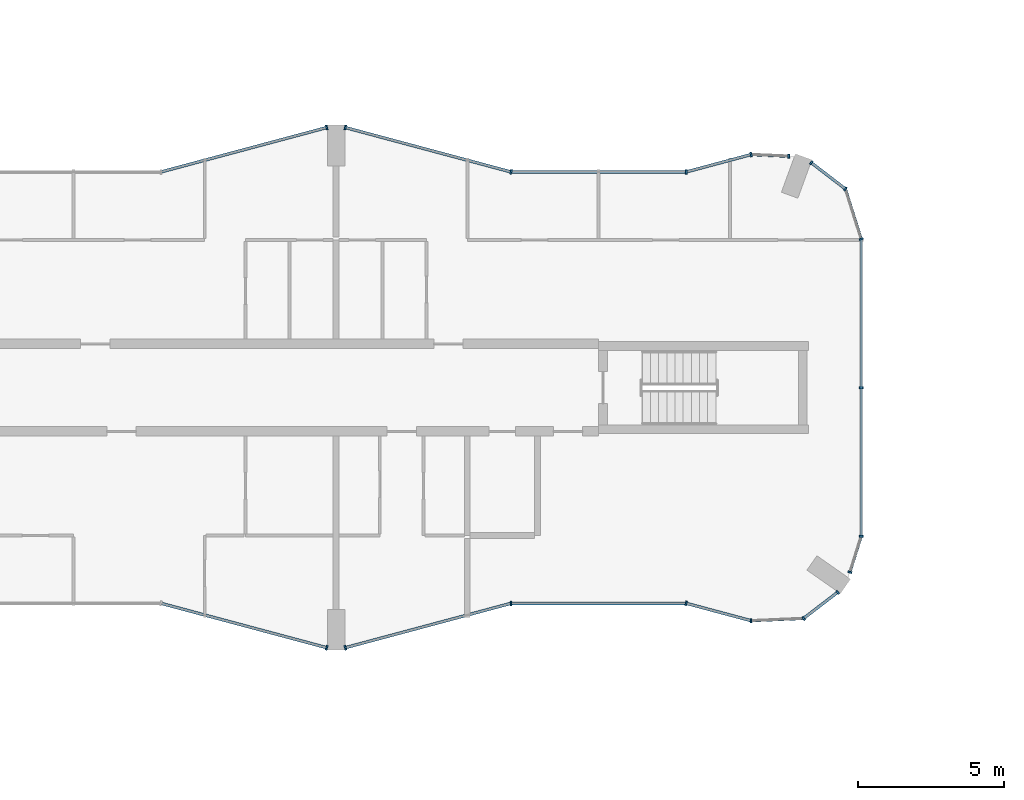
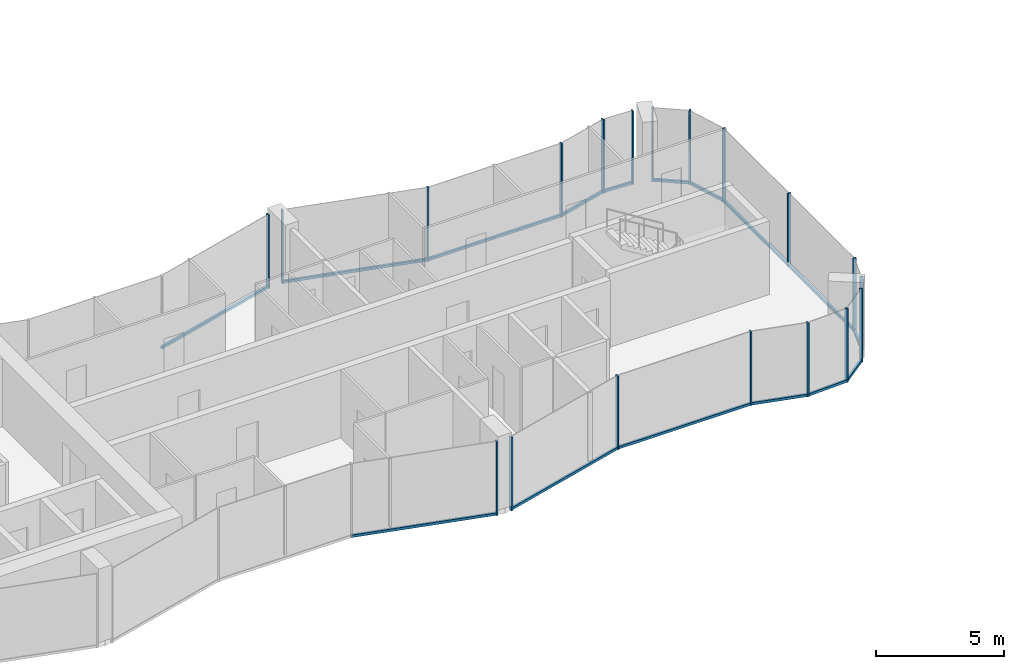
# One storey, part 5 of 23: 34 members, 15 elements without a shape of their own.
"""IFC4 building model written with IfcOpenShell, lengths in metres."""

from ifc_helpers import new_model, si_unit, direction, frame, origin, origin_2d, place, context, subcontext, project, spatial, rectangle, extrude, material, layer, layer_set, material_profile, profile_set, type_object, element, aggregate, save


model = new_model("IFC4")

# Units and contexts
model_context = context("Model", 3, precision=1e-05, world=origin(), true_north=direction((0.0, 1.0)))
body_context = subcontext(model_context, "Body", "Model", "MODEL_VIEW")
ifc_project = project(units=[si_unit("LENGTHUNIT", "METRE"), si_unit("AREAUNIT", "SQUARE_METRE"), si_unit("VOLUMEUNIT", "CUBIC_METRE"), si_unit("PLANEANGLEUNIT", "RADIAN"), si_unit("MASSUNIT", "GRAM", prefix="KILO")], contexts=[model_context])

# Site, building, storey
site_placement = place(None, origin())
site = spatial("IfcSite", under=ifc_project, at=site_placement, CompositionType="ELEMENT")
building_placement = place(site_placement, origin())
building = spatial("IfcBuilding", under=site, at=building_placement, Name="Plateau Cross Towers", CompositionType="ELEMENT")
storey_placement = place(building_placement, frame((0.0, 0.0, 95.800048828125)))
storey = spatial("IfcBuildingStorey", under=building, at=storey_placement, Name="L24", CompositionType="ELEMENT", Elevation=95.800048828125)

# Curtain wall, member
ifc_material_1 = material(Name="Dark low-iron glass", Category="glass")
ifc_layer_1 = layer(ifc_material_1, 0.239990234375)
ifc_layer_set_1 = layer_set([ifc_layer_1], Name="Dark low-iron glass")
curtain_wall_type_1 = type_object("IfcCurtainWallType", Name="Curtain wall flush unitised CW-B", PredefinedType="NOTDEFINED", material=ifc_layer_set_1)
curtain_wall_1_placement = place(storey_placement, origin())
curtain_wall_1 = element("IfcCurtainWall", 1, at=curtain_wall_1_placement, inside=storey, type_object=curtain_wall_type_1, Name="ENV/A/L24/A502_10", PredefinedType="NOTDEFINED")
ifc_material_2 = material(Name="Black anodised aluminium", Category="aluminium")
ifc_material_profile_1 = material_profile(ifc_material_2, rectangle(XDim=0.06005859375, YDim=0.139892578125, at=origin_2d()), Name="MULLION 60x140")
ifc_profile_set_1 = profile_set([ifc_material_profile_1], Name="Black anodised aluminium")
member_type_1 = type_object("IfcMemberType", Name="Mullion 60x140 flush unitised", PredefinedType="MULLION", material=ifc_profile_set_1)
member_1_placement = place(storey_placement, frame((50.223876953125, 1.01123046875, -0.25), z_axis=(0.0, 0.0, 1.0), x_axis=(0.999043701491, 0.043722791671, 0.0)))
member_1 = element("IfcMember", 2, at=member_1_placement, type_object=member_type_1, Name="CW-B mullion 1", PredefinedType="MULLION", context=body_context, shape_type="SweptSolid", body=[
    extrude(rectangle(XDim=0.06005859375, YDim=0.139892578125, at=origin_2d()), origin(), (0.0, 0.0, 1.0), 3.5),
])

# Curtain wall, members
curtain_wall_2_placement = place(storey_placement, origin())
curtain_wall_2 = element("IfcCurtainWall", 3, at=curtain_wall_2_placement, inside=storey, type_object=curtain_wall_type_1, Name="ENV/A/L24/A520_11", PredefinedType="NOTDEFINED")
member_2_placement = place(storey_placement, frame((52.0263671875, 1.090087890625, -0.25), z_axis=(0.0, 0.0, 1.0), x_axis=(0.793315514529, 0.608810721331, 0.0)))
member_2 = element("IfcMember", 4, at=member_2_placement, type_object=member_type_1, Name="CW-B mullion 1", PredefinedType="MULLION", context=body_context, shape_type="SweptSolid", body=[
    extrude(rectangle(XDim=0.06005859375, YDim=0.139892578125, at=origin_2d()), origin(), (0.0, 0.0, 1.0), 3.5),
])
member_3_placement = place(storey_placement, frame((53.193603515625, 1.986083984375, -0.25), z_axis=(0.0, 0.0, 1.0), x_axis=(0.793315514529, 0.608810721331, 0.0)))
member_3 = element("IfcMember", 5, at=member_3_placement, type_object=member_type_1, Name="CW-B mullion 2", PredefinedType="MULLION", context=body_context, shape_type="SweptSolid", body=[
    extrude(rectangle(XDim=0.06005859375, YDim=0.139892578125, at=origin_2d()), origin(), (0.0, 0.0, 1.0), 3.5),
])

# Curtain wall, member
curtain_wall_3_placement = place(storey_placement, origin())
curtain_wall_3 = element("IfcCurtainWall", 6, at=curtain_wall_3_placement, inside=storey, type_object=curtain_wall_type_1, Name="ENV/A/L24/A536_27", PredefinedType="NOTDEFINED")
member_4_placement = place(storey_placement, frame((53.611083984375, 2.67529296875, -0.25), z_axis=(0.0, 0.0, 1.0), x_axis=(0.300686174994, 0.95372313811, 0.0)))
member_4 = element("IfcMember", 7, at=member_4_placement, type_object=member_type_1, Name="CW-B mullion 1", PredefinedType="MULLION", context=body_context, shape_type="SweptSolid", body=[
    extrude(rectangle(XDim=0.06005859375, YDim=0.139892578125, at=origin_2d()), origin(), (0.0, 0.0, 1.0), 3.5),
])

# Curtain wall, members
curtain_wall_4_placement = place(storey_placement, origin())
curtain_wall_4 = element("IfcCurtainWall", 8, at=curtain_wall_4_placement, inside=storey, type_object=curtain_wall_type_1, Name="ENV/A/L24/A540_39", PredefinedType="NOTDEFINED")
member_5_placement = place(storey_placement, frame((54.0, 3.9091796875, -0.25), z_axis=(0.0, 0.0, 1.0), x_axis=(0.0, 1.0, 0.0)))
member_5 = element("IfcMember", 9, at=member_5_placement, type_object=member_type_1, Name="CW-B mullion 1", PredefinedType="MULLION", context=body_context, shape_type="SweptSolid", body=[
    extrude(rectangle(XDim=0.06005859375, YDim=0.139892578125, at=origin_2d()), origin(), (0.0, 0.0, 1.0), 3.5),
])
member_6_placement = place(storey_placement, frame((54.0, 9.0, -0.25), z_axis=(0.0, 0.0, 1.0), x_axis=(0.0, 1.0, 0.0)))
member_6 = element("IfcMember", 10, at=member_6_placement, type_object=member_type_1, Name="CW-B mullion 2", PredefinedType="MULLION", context=body_context, shape_type="SweptSolid", body=[
    extrude(rectangle(XDim=0.06005859375, YDim=0.139892578125, at=origin_2d()), origin(), (0.0, 0.0, 1.0), 3.5),
])

# Curtain wall, member
curtain_wall_5_placement = place(storey_placement, origin())
curtain_wall_5 = element("IfcCurtainWall", 11, at=curtain_wall_5_placement, inside=storey, type_object=curtain_wall_type_1, Name="ENV/A/L24/A540_141", PredefinedType="NOTDEFINED")
member_7_placement = place(storey_placement, frame((54.0, 14.0908203125, -0.25), z_axis=(0.0, 0.0, 1.0), x_axis=(-0.300686174994, 0.95372313811, 0.0)))
member_7 = element("IfcMember", 12, at=member_7_placement, type_object=member_type_1, Name="CW-B mullion 1", PredefinedType="MULLION", context=body_context, shape_type="SweptSolid", body=[
    extrude(rectangle(XDim=0.06005859375, YDim=0.139892578125, at=origin_2d()), origin(), (0.0, 0.0, 1.0), 3.5),
])

# Curtain wall, members
curtain_wall_6_placement = place(storey_placement, origin())
curtain_wall_6 = element("IfcCurtainWall", 13, at=curtain_wall_6_placement, inside=storey, type_object=curtain_wall_type_1, Name="ENV/A/L24/A535_158", PredefinedType="NOTDEFINED")
member_8_placement = place(storey_placement, frame((53.45751953125, 15.8115234375, -0.25), z_axis=(0.0, 0.0, 1.0), x_axis=(-0.793315514529, 0.608810721331, 0.0)))
member_8 = element("IfcMember", 14, at=member_8_placement, type_object=member_type_1, Name="CW-B mullion 1", PredefinedType="MULLION", context=body_context, shape_type="SweptSolid", body=[
    extrude(rectangle(XDim=0.06005859375, YDim=0.139892578125, at=origin_2d()), origin(), (0.0, 0.0, 1.0), 3.5),
])
member_9_placement = place(storey_placement, frame((52.290283203125, 16.707275390625, -0.25), z_axis=(0.0, 0.0, 1.0), x_axis=(-0.793315514529, 0.608810721331, 0.0)))
member_9 = element("IfcMember", 15, at=member_9_placement, type_object=member_type_1, Name="CW-B mullion 2", PredefinedType="MULLION", context=body_context, shape_type="SweptSolid", body=[
    extrude(rectangle(XDim=0.06005859375, YDim=0.139892578125, at=origin_2d()), origin(), (0.0, 0.0, 1.0), 3.5),
])

# Curtain wall, member
curtain_wall_7_placement = place(storey_placement, origin())
curtain_wall_7 = element("IfcCurtainWall", 16, at=curtain_wall_7_placement, inside=storey, type_object=curtain_wall_type_1, Name="ENV/A/L24/A515_169", PredefinedType="NOTDEFINED")
member_10_placement = place(storey_placement, frame((51.516357421875, 16.93212890625, -0.25), z_axis=(0.0, 0.0, 1.0), x_axis=(-0.999043701491, 0.043722791671, 0.0)))
member_10 = element("IfcMember", 17, at=member_10_placement, type_object=member_type_1, Name="CW-B mullion 1", PredefinedType="MULLION", context=body_context, shape_type="SweptSolid", body=[
    extrude(rectangle(XDim=0.06005859375, YDim=0.139892578125, at=origin_2d()), origin(), (0.0, 0.0, 1.0), 3.5),
])

ifc_layer_2 = layer(ifc_material_1, 0.260009765625)
ifc_layer_set_2 = layer_set([ifc_layer_2], Name="Dark low-iron glass")
curtain_wall_type_2 = type_object("IfcCurtainWallType", Name="Curtain wall fluted unitised CW-A", PredefinedType="NOTDEFINED", material=ifc_layer_set_2)
curtain_wall_8_placement = place(storey_placement, origin())
curtain_wall_8 = element("IfcCurtainWall", 18, at=curtain_wall_8_placement, inside=storey, type_object=curtain_wall_type_2, Name="ENV/A/L24/A300_16", PredefinedType="NOTDEFINED")
ifc_material_profile_2 = material_profile(ifc_material_2, rectangle(XDim=0.06005859375, YDim=0.159912109375, at=origin_2d()), Name="MULLION 60x160")
ifc_profile_set_2 = profile_set([ifc_material_profile_2], Name="Black anodised aluminium")
member_type_2 = type_object("IfcMemberType", Name="Mullion 60x160 fluted unitised", PredefinedType="MULLION", material=ifc_profile_set_2)
member_11_placement = place(storey_placement, frame((35.68212890625, 0.085205078125, -0.25), z_axis=(0.0, 0.0, 1.0), x_axis=(0.965957983404, -0.258699003279, 0.0)))
member_11 = element("IfcMember", 19, at=member_11_placement, type_object=member_type_2, Name="CW-A mullion 2", PredefinedType="MULLION", context=body_context, shape_type="SweptSolid", body=[
    extrude(rectangle(XDim=0.06005859375, YDim=0.159912109375, at=origin_2d()), origin(), (0.0, 0.0, 1.0), 3.5),
])

curtain_wall_9_placement = place(storey_placement, origin())
curtain_wall_9 = element("IfcCurtainWall", 20, at=curtain_wall_9_placement, inside=storey, type_object=curtain_wall_type_2, Name="ENV/A/L24/A363_1", PredefinedType="NOTDEFINED")
member_12_placement = place(storey_placement, frame((36.31787109375, 0.085205078125, -0.25), z_axis=(0.0, 0.0, 1.0), x_axis=(0.965957983404, 0.258699003279, 0.0)))
member_12 = element("IfcMember", 21, at=member_12_placement, type_object=member_type_2, Name="CW-A mullion 1", PredefinedType="MULLION", context=body_context, shape_type="SweptSolid", body=[
    extrude(rectangle(XDim=0.06005859375, YDim=0.159912109375, at=origin_2d()), origin(), (0.0, 0.0, 1.0), 3.5),
])

curtain_wall_10_placement = place(storey_placement, origin())
curtain_wall_10 = element("IfcCurtainWall", 22, at=curtain_wall_10_placement, inside=storey, type_object=curtain_wall_type_2, Name="ENV/A/L24/A420_16", PredefinedType="NOTDEFINED")
member_13_placement = place(storey_placement, frame((42.0, 1.60693359375, -0.25), z_axis=(0.0, 0.0, 1.0), x_axis=(1.0, 0.0, 0.0)))
member_13 = element("IfcMember", 23, at=member_13_placement, type_object=member_type_2, Name="CW-A mullion 1", PredefinedType="MULLION", context=body_context, shape_type="SweptSolid", body=[
    extrude(rectangle(XDim=0.06005859375, YDim=0.159912109375, at=origin_2d()), origin(), (0.0, 0.0, 1.0), 3.5),
])

curtain_wall_11_placement = place(storey_placement, origin())
curtain_wall_11 = element("IfcCurtainWall", 24, at=curtain_wall_11_placement, inside=storey, type_object=curtain_wall_type_2, Name="ENV/A/L24/A480_16", PredefinedType="NOTDEFINED")
member_14_placement = place(storey_placement, frame((48.0, 1.60693359375, -0.25), z_axis=(0.0, 0.0, 1.0), x_axis=(0.965957962328, -0.258699081978, 0.0)))
member_14 = element("IfcMember", 25, at=member_14_placement, type_object=member_type_2, Name="CW-A mullion 1", PredefinedType="MULLION", context=body_context, shape_type="SweptSolid", body=[
    extrude(rectangle(XDim=0.06005859375, YDim=0.159912109375, at=origin_2d()), origin(), (0.0, 0.0, 1.0), 3.5),
])

curtain_wall_12_placement = place(storey_placement, origin())
curtain_wall_12 = element("IfcCurtainWall", 26, at=curtain_wall_12_placement, inside=storey, type_object=curtain_wall_type_2, Name="ENV/A/L24/A502_170", PredefinedType="NOTDEFINED")
member_15_placement = place(storey_placement, frame((50.223876953125, 16.98876953125, -0.25), z_axis=(0.0, 0.0, 1.0), x_axis=(-0.965957962328, -0.258699081978, 0.0)))
member_15 = element("IfcMember", 27, at=member_15_placement, type_object=member_type_2, Name="CW-A mullion 1", PredefinedType="MULLION", context=body_context, shape_type="SweptSolid", body=[
    extrude(rectangle(XDim=0.06005859375, YDim=0.159912109375, at=origin_2d()), origin(), (0.0, 0.0, 1.0), 3.5),
])

curtain_wall_13_placement = place(storey_placement, origin())
curtain_wall_13 = element("IfcCurtainWall", 28, at=curtain_wall_13_placement, inside=storey, type_object=curtain_wall_type_2, Name="ENV/A/L24/A480_164", PredefinedType="NOTDEFINED")
member_16_placement = place(storey_placement, frame((48.0, 16.39306640625, -0.25), z_axis=(0.0, 0.0, 1.0), x_axis=(-1.0, 0.0, 0.0)))
member_16 = element("IfcMember", 29, at=member_16_placement, type_object=member_type_2, Name="CW-A mullion 1", PredefinedType="MULLION", context=body_context, shape_type="SweptSolid", body=[
    extrude(rectangle(XDim=0.06005859375, YDim=0.159912109375, at=origin_2d()), origin(), (0.0, 0.0, 1.0), 3.5),
])

# Curtain wall, members
curtain_wall_14_placement = place(storey_placement, origin())
curtain_wall_14 = element("IfcCurtainWall", 30, at=curtain_wall_14_placement, inside=storey, type_object=curtain_wall_type_2, Name="ENV/A/L24/A420_164", PredefinedType="NOTDEFINED")
member_17_placement = place(storey_placement, frame((42.0, 16.39306640625, -0.25), z_axis=(0.0, 0.0, 1.0), x_axis=(-0.965957983404, 0.258699003279, 0.0)))
member_17 = element("IfcMember", 31, at=member_17_placement, type_object=member_type_2, Name="CW-A mullion 1", PredefinedType="MULLION", context=body_context, shape_type="SweptSolid", body=[
    extrude(rectangle(XDim=0.06005859375, YDim=0.159912109375, at=origin_2d()), origin(), (0.0, 0.0, 1.0), 3.5),
])
member_18_placement = place(storey_placement, frame((36.31787109375, 17.914794921875, -0.25), z_axis=(0.0, 0.0, 1.0), x_axis=(-0.965957983404, 0.258699003279, 0.0)))
member_18 = element("IfcMember", 32, at=member_18_placement, type_object=member_type_2, Name="CW-A mullion 2", PredefinedType="MULLION", context=body_context, shape_type="SweptSolid", body=[
    extrude(rectangle(XDim=0.06005859375, YDim=0.159912109375, at=origin_2d()), origin(), (0.0, 0.0, 1.0), 3.5),
])

# Curtain wall, member
curtain_wall_15_placement = place(storey_placement, origin())
curtain_wall_15 = element("IfcCurtainWall", 33, at=curtain_wall_15_placement, inside=storey, type_object=curtain_wall_type_2, Name="ENV/A/L24/A357_179", PredefinedType="NOTDEFINED")
member_19_placement = place(storey_placement, frame((35.68212890625, 17.914794921875, -0.25), z_axis=(0.0, 0.0, 1.0), x_axis=(-0.965957983404, -0.258699003279, 0.0)))
member_19 = element("IfcMember", 34, at=member_19_placement, type_object=member_type_2, Name="CW-A mullion 1", PredefinedType="MULLION", context=body_context, shape_type="SweptSolid", body=[
    extrude(rectangle(XDim=0.06005859375, YDim=0.159912109375, at=origin_2d()), origin(), (0.0, 0.0, 1.0), 3.5),
])

# Member
ifc_material_profile_3 = material_profile(ifc_material_2, rectangle(XDim=0.10009765625, YDim=0.1201171875, at=origin_2d()), Name="TRANSOM 100x120")
ifc_profile_set_3 = profile_set([ifc_material_profile_3], Name="Black anodised aluminium")
member_type_3 = type_object("IfcMemberType", Name="Transom 100x120 flush unitised", PredefinedType="USERDEFINED", material=ifc_profile_set_3)
member_20_placement = place(storey_placement, frame((50.223876953125, 1.01123046875, -0.18994140625), z_axis=(0.999044377355, 0.043707345779, 0.0), x_axis=(-0.043707345779, 0.999044377355, 0.0)))
member_20 = element("IfcMember", 35, at=member_20_placement, type_object=member_type_3, Name="CW-B transom", ObjectType="TRANSOM", PredefinedType="USERDEFINED", context=body_context, shape_type="SweptSolid", body=[
    extrude(rectangle(XDim=0.10009765625, YDim=0.1201171875, at=origin_2d()), origin(), (0.0, 0.0, 1.0), 1.80419921875),
])

aggregate(curtain_wall_1, [member_1, member_20])

member_21_placement = place(storey_placement, frame((52.0263671875, 1.090087890625, -0.18994140625), z_axis=(0.793240368515, 0.608908628415, 0.0), x_axis=(-0.608908628415, 0.793240368515, 0.0)))
member_21 = element("IfcMember", 36, at=member_21_placement, type_object=member_type_3, Name="CW-B transom", ObjectType="TRANSOM", PredefinedType="USERDEFINED", context=body_context, shape_type="SweptSolid", body=[
    extrude(rectangle(XDim=0.10009765625, YDim=0.1201171875, at=origin_2d()), origin(), (0.0, 0.0, 1.0), 1.471435546875),
])

aggregate(curtain_wall_2, [member_2, member_3, member_21])

member_22_placement = place(storey_placement, frame((53.611083984375, 2.67529296875, -0.18994140625), z_axis=(0.300616528216, 0.953745093284, 0.0), x_axis=(-0.953745093284, 0.300616528216, 0.0)))
member_22 = element("IfcMember", 37, at=member_22_placement, type_object=member_type_3, Name="CW-B transom", ObjectType="TRANSOM", PredefinedType="USERDEFINED", context=body_context, shape_type="SweptSolid", body=[
    extrude(rectangle(XDim=0.10009765625, YDim=0.1201171875, at=origin_2d()), origin(), (0.0, 0.0, 1.0), 1.293701171875),
])

aggregate(curtain_wall_3, [member_4, member_22])

member_23_placement = place(storey_placement, frame((54.0, 3.9091796875, -0.18994140625), z_axis=(0.0, 1.0, 0.0), x_axis=(-1.0, 0.0, 0.0)))
member_23 = element("IfcMember", 38, at=member_23_placement, type_object=member_type_3, Name="CW-B transom", ObjectType="TRANSOM", PredefinedType="USERDEFINED", context=body_context, shape_type="SweptSolid", body=[
    extrude(rectangle(XDim=0.10009765625, YDim=0.1201171875, at=origin_2d()), origin(), (0.0, 0.0, 1.0), 10.181640625),
])

aggregate(curtain_wall_4, [member_5, member_6, member_23])

member_24_placement = place(storey_placement, frame((54.0, 14.0908203125, -0.18994140625), z_axis=(-0.30067799945, 0.953725715626, 0.0), x_axis=(-0.953725715626, -0.30067799945, 0.0)))
member_24 = element("IfcMember", 39, at=member_24_placement, type_object=member_type_3, Name="CW-B transom", ObjectType="TRANSOM", PredefinedType="USERDEFINED", context=body_context, shape_type="SweptSolid", body=[
    extrude(rectangle(XDim=0.10009765625, YDim=0.1201171875, at=origin_2d()), origin(), (0.0, 0.0, 1.0), 1.80419921875),
])

aggregate(curtain_wall_5, [member_7, member_24])

member_25_placement = place(storey_placement, frame((53.45751953125, 15.8115234375, -0.18994140625), z_axis=(-0.793320508571, 0.608804213751, 0.0), x_axis=(-0.608804213751, -0.793320508571, 0.0)))
member_25 = element("IfcMember", 40, at=member_25_placement, type_object=member_type_3, Name="CW-B transom", ObjectType="TRANSOM", PredefinedType="USERDEFINED", context=body_context, shape_type="SweptSolid", body=[
    extrude(rectangle(XDim=0.10009765625, YDim=0.1201171875, at=origin_2d()), origin(), (0.0, 0.0, 1.0), 1.471435546875),
])

aggregate(curtain_wall_6, [member_8, member_9, member_25])

member_26_placement = place(storey_placement, frame((51.516357421875, 16.93212890625, -0.18994140625), z_axis=(-0.999041144614, 0.043781175963, 0.0), x_axis=(-0.043781175963, -0.999041144614, 0.0)))
member_26 = element("IfcMember", 41, at=member_26_placement, type_object=member_type_3, Name="CW-B transom", ObjectType="TRANSOM", PredefinedType="USERDEFINED", context=body_context, shape_type="SweptSolid", body=[
    extrude(rectangle(XDim=0.10009765625, YDim=0.1201171875, at=origin_2d()), origin(), (0.0, 0.0, 1.0), 1.293701171875),
])

aggregate(curtain_wall_7, [member_10, member_26])

ifc_material_profile_4 = material_profile(ifc_material_2, rectangle(XDim=0.10009765625, YDim=0.1201171875, at=origin_2d()), Name="TRANSOM 100x120")
ifc_profile_set_4 = profile_set([ifc_material_profile_4], Name="Black anodised aluminium")
member_type_4 = type_object("IfcMemberType", Name="Transom 100x120 fluted unitised", PredefinedType="USERDEFINED", material=ifc_profile_set_4)
member_27_placement = place(storey_placement, frame((30.0, 1.60693359375, -0.18994140625), z_axis=(0.965959534794, -0.258693210465, 0.0), x_axis=(0.258693210465, 0.965959534794, 0.0)))
member_27 = element("IfcMember", 42, at=member_27_placement, type_object=member_type_4, Name="CW-A transom", ObjectType="TRANSOM", PredefinedType="USERDEFINED", context=body_context, shape_type="SweptSolid", body=[
    extrude(rectangle(XDim=0.10009765625, YDim=0.1201171875, at=origin_2d()), origin(), (0.0, 0.0, 1.0), 5.88232421875),
])

aggregate(curtain_wall_8, [member_11, member_27])

member_28_placement = place(storey_placement, frame((36.31787109375, 0.085205078125, -0.18994140625), z_axis=(0.965959534794, 0.258693210465, 0.0), x_axis=(-0.258693210465, 0.965959534794, 0.0)))
member_28 = element("IfcMember", 43, at=member_28_placement, type_object=member_type_4, Name="CW-A transom", ObjectType="TRANSOM", PredefinedType="USERDEFINED", context=body_context, shape_type="SweptSolid", body=[
    extrude(rectangle(XDim=0.10009765625, YDim=0.1201171875, at=origin_2d()), origin(), (0.0, 0.0, 1.0), 5.88232421875),
])

aggregate(curtain_wall_9, [member_12, member_28])

member_29_placement = place(storey_placement, frame((42.0, 1.60693359375, -0.18994140625), z_axis=(1.0, 0.0, 0.0), x_axis=(0.0, 1.0, 0.0)))
member_29 = element("IfcMember", 44, at=member_29_placement, type_object=member_type_4, Name="CW-A transom", ObjectType="TRANSOM", PredefinedType="USERDEFINED", context=body_context, shape_type="SweptSolid", body=[
    extrude(rectangle(XDim=0.10009765625, YDim=0.1201171875, at=origin_2d()), origin(), (0.0, 0.0, 1.0), 6.0),
])

aggregate(curtain_wall_10, [member_13, member_29])

member_30_placement = place(storey_placement, frame((48.0, 1.60693359375, -0.18994140625), z_axis=(0.965945685136, -0.258744919501, 0.0), x_axis=(0.258744919501, 0.965945685136, 0.0)))
member_30 = element("IfcMember", 45, at=member_30_placement, type_object=member_type_4, Name="CW-A transom", ObjectType="TRANSOM", PredefinedType="USERDEFINED", context=body_context, shape_type="SweptSolid", body=[
    extrude(rectangle(XDim=0.10009765625, YDim=0.1201171875, at=origin_2d()), origin(), (0.0, 0.0, 1.0), 2.30224609375),
])

aggregate(curtain_wall_11, [member_14, member_30])

member_31_placement = place(storey_placement, frame((50.223876953125, 16.98876953125, -0.18994140625), z_axis=(-0.965945685136, -0.258744919501, 0.0), x_axis=(0.258744919501, -0.965945685136, 0.0)))
member_31 = element("IfcMember", 46, at=member_31_placement, type_object=member_type_4, Name="CW-A transom", ObjectType="TRANSOM", PredefinedType="USERDEFINED", context=body_context, shape_type="SweptSolid", body=[
    extrude(rectangle(XDim=0.10009765625, YDim=0.1201171875, at=origin_2d()), origin(), (0.0, 0.0, 1.0), 2.30224609375),
])

aggregate(curtain_wall_12, [member_15, member_31])

member_32_placement = place(storey_placement, frame((48.0, 16.39306640625, -0.18994140625), z_axis=(-1.0, 0.0, 0.0), x_axis=(0.0, -1.0, 0.0)))
member_32 = element("IfcMember", 47, at=member_32_placement, type_object=member_type_4, Name="CW-A transom", ObjectType="TRANSOM", PredefinedType="USERDEFINED", context=body_context, shape_type="SweptSolid", body=[
    extrude(rectangle(XDim=0.10009765625, YDim=0.1201171875, at=origin_2d()), origin(), (0.0, 0.0, 1.0), 6.0),
])

aggregate(curtain_wall_13, [member_16, member_32])

member_33_placement = place(storey_placement, frame((42.0, 16.39306640625, -0.18994140625), z_axis=(-0.965959534794, 0.258693210465, 0.0), x_axis=(-0.258693210465, -0.965959534794, 0.0)))
member_33 = element("IfcMember", 48, at=member_33_placement, type_object=member_type_4, Name="CW-A transom", ObjectType="TRANSOM", PredefinedType="USERDEFINED", context=body_context, shape_type="SweptSolid", body=[
    extrude(rectangle(XDim=0.10009765625, YDim=0.1201171875, at=origin_2d()), origin(), (0.0, 0.0, 1.0), 5.88232421875),
])

aggregate(curtain_wall_14, [member_17, member_18, member_33])

member_34_placement = place(storey_placement, frame((35.68212890625, 17.914794921875, -0.18994140625), z_axis=(-0.965959534794, -0.258693210465, 0.0), x_axis=(0.258693210465, -0.965959534794, 0.0)))
member_34 = element("IfcMember", 49, at=member_34_placement, type_object=member_type_4, Name="CW-A transom", ObjectType="TRANSOM", PredefinedType="USERDEFINED", context=body_context, shape_type="SweptSolid", body=[
    extrude(rectangle(XDim=0.10009765625, YDim=0.1201171875, at=origin_2d()), origin(), (0.0, 0.0, 1.0), 5.88232421875),
])

aggregate(curtain_wall_15, [member_19, member_34])

save(model, "model.ifc")
